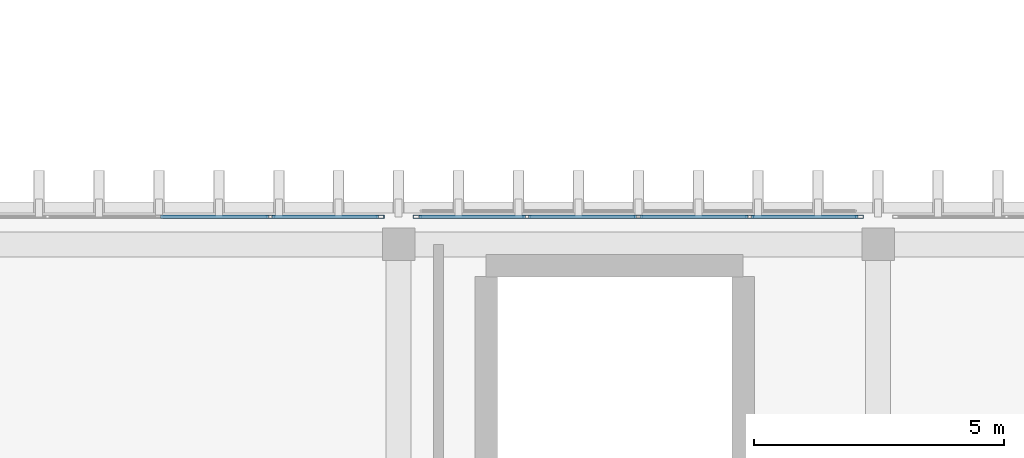
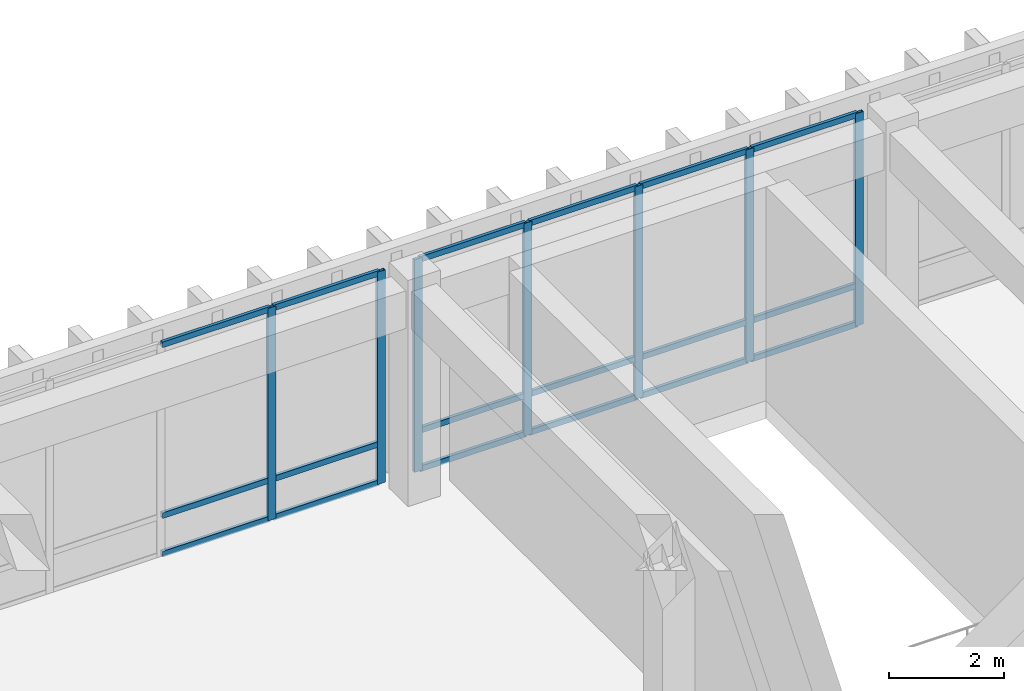
# One storey, part 30 of 101: 25 members, 2 elements without a shape of their own.
"""IFC4 building model written with IfcOpenShell, lengths in metres."""

from ifc_helpers import new_model, si_unit, direction, frame, origin, origin_2d, place, context, subcontext, project, spatial, hollow_rectangle, extrude, material, layer, layer_set, material_profile, profile_set, type_object, element, aggregate, save


model = new_model("IFC4")

# Units and contexts
model_context = context("Model", 3, precision=1e-05, world=origin(), true_north=direction((0.0, 1.0)))
body_context = subcontext(model_context, "Body", "Model", "MODEL_VIEW")
ifc_project = project(units=[si_unit("LENGTHUNIT", "METRE"), si_unit("AREAUNIT", "SQUARE_METRE"), si_unit("VOLUMEUNIT", "CUBIC_METRE"), si_unit("PLANEANGLEUNIT", "RADIAN"), si_unit("MASSUNIT", "GRAM", prefix="KILO")], contexts=[model_context])

# Site, building, storey
site_placement = place(None, origin())
site = spatial("IfcSite", under=ifc_project, at=site_placement, CompositionType="ELEMENT")
building_placement = place(site_placement, origin())
building = spatial("IfcBuilding", under=site, at=building_placement, Name="Nakhvara Creek Congress Hotel", CompositionType="ELEMENT")
storey_placement = place(building_placement, frame((0.0, 0.0, 16.199951171875)))
storey = spatial("IfcBuildingStorey", under=building, at=storey_placement, Name="L03", CompositionType="ELEMENT", Elevation=16.199951171875)

# Curtain wall, members
ifc_material_1 = material(Name="Bronze-anodised aluminium AW-6063-T6 and double-silver low-E glass", Category="aluminium")
ifc_layer = layer(ifc_material_1, 0.199951171875)
ifc_layer_set = layer_set([ifc_layer], Name="Bronze-anodised aluminium AW-6063-T6 and double-silver low-E glass")
curtain_wall_type = type_object("IfcCurtainWallType", Name="CW-POD-STICK", PredefinedType="NOTDEFINED", material=ifc_layer_set)
curtain_wall_1_placement = place(storey_placement, origin())
curtain_wall_1 = element("IfcCurtainWall", 1, at=curtain_wall_1_placement, inside=storey, type_object=curtain_wall_type, Name="Curtain Wall CW102", PredefinedType="NOTDEFINED")
ifc_material_2 = material(Name="Bronze-anodised aluminium AW-6063-T6", Category="aluminium")
ifc_material_profile_1 = material_profile(ifc_material_2, hollow_rectangle(XDim=0.06494140625, YDim=0.159912109375, WallThickness=0.00390625, at=origin_2d()), Name="ALU-MULL 65x160x4", Category="LoadBearing")
ifc_profile_set_1 = profile_set([ifc_material_profile_1], Name="Bronze-anodised aluminium AW-6063-T6")
member_type_1 = type_object("IfcMemberType", Name="CW-MULL-160", PredefinedType="MULLION", material=ifc_profile_set_1)
member_1_placement = place(storey_placement, frame((112.6298828125, 95.800048828125, 0.0), z_axis=(0.0, 0.0, 1.0), x_axis=(0.0, 1.0, 0.0)))
member_1 = element("IfcMember", 2, at=member_1_placement, type_object=member_type_1, Name="CW102 mullion 4", PredefinedType="MULLION", context=body_context, shape_type="SweptSolid", body=[
    extrude(hollow_rectangle(XDim=0.06494140625, YDim=0.159912109375, WallThickness=0.00390625, at=origin_2d()), origin(), (0.0, 0.0, 1.0), 4.510009765625),
])
member_2_placement = place(storey_placement, frame((114.827392578125, 95.800048828125, 0.0), z_axis=(0.0, 0.0, 1.0), x_axis=(0.0, 1.0, 0.0)))
member_2 = element("IfcMember", 3, at=member_2_placement, type_object=member_type_1, Name="CW102 mullion 5", PredefinedType="MULLION", context=body_context, shape_type="SweptSolid", body=[
    extrude(hollow_rectangle(XDim=0.06494140625, YDim=0.159912109375, WallThickness=0.00390625, at=origin_2d()), origin(), (0.0, 0.0, 1.0), 4.510009765625),
])

curtain_wall_2_placement = place(storey_placement, origin())
curtain_wall_2 = element("IfcCurtainWall", 4, at=curtain_wall_2_placement, inside=storey, type_object=curtain_wall_type, Name="Curtain Wall CW103", PredefinedType="NOTDEFINED")
member_3_placement = place(storey_placement, frame((115.572509765625, 95.800048828125, 0.0), z_axis=(0.0, 0.0, 1.0), x_axis=(0.0, 1.0, 0.0)))
member_3 = element("IfcMember", 5, at=member_3_placement, type_object=member_type_1, Name="CW103 mullion 1", PredefinedType="MULLION", context=body_context, shape_type="SweptSolid", body=[
    extrude(hollow_rectangle(XDim=0.06494140625, YDim=0.159912109375, WallThickness=0.00390625, at=origin_2d()), origin(), (0.0, 0.0, 1.0), 4.510009765625),
])
member_4_placement = place(storey_placement, frame((117.77001953125, 95.800048828125, 0.0), z_axis=(0.0, 0.0, 1.0), x_axis=(0.0, 1.0, 0.0)))
member_4 = element("IfcMember", 6, at=member_4_placement, type_object=member_type_1, Name="CW103 mullion 2", PredefinedType="MULLION", context=body_context, shape_type="SweptSolid", body=[
    extrude(hollow_rectangle(XDim=0.06494140625, YDim=0.159912109375, WallThickness=0.00390625, at=origin_2d()), origin(), (0.0, 0.0, 1.0), 4.510009765625),
])
member_5_placement = place(storey_placement, frame((120.0, 95.800048828125, 0.0), z_axis=(0.0, 0.0, 1.0), x_axis=(0.0, 1.0, 0.0)))
member_5 = element("IfcMember", 7, at=member_5_placement, type_object=member_type_1, Name="CW103 mullion 3", PredefinedType="MULLION", context=body_context, shape_type="SweptSolid", body=[
    extrude(hollow_rectangle(XDim=0.06494140625, YDim=0.159912109375, WallThickness=0.00390625, at=origin_2d()), origin(), (0.0, 0.0, 1.0), 4.510009765625),
])
member_6_placement = place(storey_placement, frame((122.22998046875, 95.800048828125, 0.0), z_axis=(0.0, 0.0, 1.0), x_axis=(0.0, 1.0, 0.0)))
member_6 = element("IfcMember", 8, at=member_6_placement, type_object=member_type_1, Name="CW103 mullion 4", PredefinedType="MULLION", context=body_context, shape_type="SweptSolid", body=[
    extrude(hollow_rectangle(XDim=0.06494140625, YDim=0.159912109375, WallThickness=0.00390625, at=origin_2d()), origin(), (0.0, 0.0, 1.0), 4.510009765625),
])
member_7_placement = place(storey_placement, frame((124.427490234375, 95.800048828125, 0.0), z_axis=(0.0, 0.0, 1.0), x_axis=(0.0, 1.0, 0.0)))
member_7 = element("IfcMember", 9, at=member_7_placement, type_object=member_type_1, Name="CW103 mullion 5", PredefinedType="MULLION", context=body_context, shape_type="SweptSolid", body=[
    extrude(hollow_rectangle(XDim=0.06494140625, YDim=0.159912109375, WallThickness=0.00390625, at=origin_2d()), origin(), (0.0, 0.0, 1.0), 4.510009765625),
])

# Member
ifc_material_profile_2 = material_profile(ifc_material_2, hollow_rectangle(XDim=0.06494140625, YDim=0.1201171875, WallThickness=0.00390625, at=origin_2d()), Name="ALU-TRAN 65x120x4", Category="LoadBearing")
ifc_profile_set_2 = profile_set([ifc_material_profile_2], Name="Bronze-anodised aluminium AW-6063-T6")
member_type_2 = type_object("IfcMemberType", Name="CW-TRAN-120", PredefinedType="USERDEFINED", material=ifc_profile_set_2)
member_8_placement = place(storey_placement, frame((110.4326171875, 95.800048828125, 0.032470703125), z_axis=(1.0, 0.0, 0.0), x_axis=(0.0, 1.0, 0.0)))
member_8 = element("IfcMember", 10, at=member_8_placement, type_object=member_type_2, Name="CW102 transom 3.1", ObjectType="TRANSOM", PredefinedType="USERDEFINED", context=body_context, shape_type="SweptSolid", body=[
    extrude(hollow_rectangle(XDim=0.06494140625, YDim=0.1201171875, WallThickness=0.00390625, at=origin_2d()), origin(), (0.0, 0.0, 1.0), 2.164794921875),
])

member_9_placement = place(storey_placement, frame((110.4326171875, 95.800048828125, 0.85009765625), z_axis=(1.0, 0.0, 0.0), x_axis=(0.0, 1.0, 0.0)))
member_9 = element("IfcMember", 11, at=member_9_placement, type_object=member_type_2, Name="CW102 transom 3.2", ObjectType="TRANSOM", PredefinedType="USERDEFINED", context=body_context, shape_type="SweptSolid", body=[
    extrude(hollow_rectangle(XDim=0.06494140625, YDim=0.1201171875, WallThickness=0.00390625, at=origin_2d()), origin(), (0.0, 0.0, 1.0), 2.164794921875),
])

member_10_placement = place(storey_placement, frame((110.4326171875, 95.800048828125, 4.4775390625), z_axis=(1.0, 0.0, 0.0), x_axis=(0.0, 1.0, 0.0)))
member_10 = element("IfcMember", 12, at=member_10_placement, type_object=member_type_2, Name="CW102 transom 3.3", ObjectType="TRANSOM", PredefinedType="USERDEFINED", context=body_context, shape_type="SweptSolid", body=[
    extrude(hollow_rectangle(XDim=0.06494140625, YDim=0.1201171875, WallThickness=0.00390625, at=origin_2d()), origin(), (0.0, 0.0, 1.0), 2.164794921875),
])

member_11_placement = place(storey_placement, frame((112.66259765625, 95.800048828125, 0.032470703125), z_axis=(1.0, 0.0, 0.0), x_axis=(0.0, 1.0, 0.0)))
member_11 = element("IfcMember", 13, at=member_11_placement, type_object=member_type_2, Name="CW102 transom 4.1", ObjectType="TRANSOM", PredefinedType="USERDEFINED", context=body_context, shape_type="SweptSolid", body=[
    extrude(hollow_rectangle(XDim=0.06494140625, YDim=0.1201171875, WallThickness=0.00390625, at=origin_2d()), origin(), (0.0, 0.0, 1.0), 2.13232421875),
])

member_12_placement = place(storey_placement, frame((112.66259765625, 95.800048828125, 0.85009765625), z_axis=(1.0, 0.0, 0.0), x_axis=(0.0, 1.0, 0.0)))
member_12 = element("IfcMember", 14, at=member_12_placement, type_object=member_type_2, Name="CW102 transom 4.2", ObjectType="TRANSOM", PredefinedType="USERDEFINED", context=body_context, shape_type="SweptSolid", body=[
    extrude(hollow_rectangle(XDim=0.06494140625, YDim=0.1201171875, WallThickness=0.00390625, at=origin_2d()), origin(), (0.0, 0.0, 1.0), 2.13232421875),
])

member_13_placement = place(storey_placement, frame((112.66259765625, 95.800048828125, 4.4775390625), z_axis=(1.0, 0.0, 0.0), x_axis=(0.0, 1.0, 0.0)))
member_13 = element("IfcMember", 15, at=member_13_placement, type_object=member_type_2, Name="CW102 transom 4.3", ObjectType="TRANSOM", PredefinedType="USERDEFINED", context=body_context, shape_type="SweptSolid", body=[
    extrude(hollow_rectangle(XDim=0.06494140625, YDim=0.1201171875, WallThickness=0.00390625, at=origin_2d()), origin(), (0.0, 0.0, 1.0), 2.13232421875),
])

aggregate(curtain_wall_1, [member_1, member_2, member_8, member_9, member_10, member_11, member_12, member_13])

member_14_placement = place(storey_placement, frame((115.60498046875, 95.800048828125, 0.032470703125), z_axis=(1.0, 0.0, 0.0), x_axis=(0.0, 1.0, 0.0)))
member_14 = element("IfcMember", 16, at=member_14_placement, type_object=member_type_2, Name="CW103 transom 1.1", ObjectType="TRANSOM", PredefinedType="USERDEFINED", context=body_context, shape_type="SweptSolid", body=[
    extrude(hollow_rectangle(XDim=0.06494140625, YDim=0.1201171875, WallThickness=0.00390625, at=origin_2d()), origin(), (0.0, 0.0, 1.0), 2.132568359375),
])

member_15_placement = place(storey_placement, frame((115.60498046875, 95.800048828125, 0.85009765625), z_axis=(1.0, 0.0, 0.0), x_axis=(0.0, 1.0, 0.0)))
member_15 = element("IfcMember", 17, at=member_15_placement, type_object=member_type_2, Name="CW103 transom 1.2", ObjectType="TRANSOM", PredefinedType="USERDEFINED", context=body_context, shape_type="SweptSolid", body=[
    extrude(hollow_rectangle(XDim=0.06494140625, YDim=0.1201171875, WallThickness=0.00390625, at=origin_2d()), origin(), (0.0, 0.0, 1.0), 2.132568359375),
])

member_16_placement = place(storey_placement, frame((115.60498046875, 95.800048828125, 4.4775390625), z_axis=(1.0, 0.0, 0.0), x_axis=(0.0, 1.0, 0.0)))
member_16 = element("IfcMember", 18, at=member_16_placement, type_object=member_type_2, Name="CW103 transom 1.3", ObjectType="TRANSOM", PredefinedType="USERDEFINED", context=body_context, shape_type="SweptSolid", body=[
    extrude(hollow_rectangle(XDim=0.06494140625, YDim=0.1201171875, WallThickness=0.00390625, at=origin_2d()), origin(), (0.0, 0.0, 1.0), 2.132568359375),
])

member_17_placement = place(storey_placement, frame((117.802490234375, 95.800048828125, 0.032470703125), z_axis=(1.0, 0.0, 0.0), x_axis=(0.0, 1.0, 0.0)))
member_17 = element("IfcMember", 19, at=member_17_placement, type_object=member_type_2, Name="CW103 transom 2.1", ObjectType="TRANSOM", PredefinedType="USERDEFINED", context=body_context, shape_type="SweptSolid", body=[
    extrude(hollow_rectangle(XDim=0.06494140625, YDim=0.1201171875, WallThickness=0.00390625, at=origin_2d()), origin(), (0.0, 0.0, 1.0), 2.1650390625),
])

member_18_placement = place(storey_placement, frame((117.802490234375, 95.800048828125, 0.85009765625), z_axis=(1.0, 0.0, 0.0), x_axis=(0.0, 1.0, 0.0)))
member_18 = element("IfcMember", 20, at=member_18_placement, type_object=member_type_2, Name="CW103 transom 2.2", ObjectType="TRANSOM", PredefinedType="USERDEFINED", context=body_context, shape_type="SweptSolid", body=[
    extrude(hollow_rectangle(XDim=0.06494140625, YDim=0.1201171875, WallThickness=0.00390625, at=origin_2d()), origin(), (0.0, 0.0, 1.0), 2.1650390625),
])

member_19_placement = place(storey_placement, frame((117.802490234375, 95.800048828125, 4.4775390625), z_axis=(1.0, 0.0, 0.0), x_axis=(0.0, 1.0, 0.0)))
member_19 = element("IfcMember", 21, at=member_19_placement, type_object=member_type_2, Name="CW103 transom 2.3", ObjectType="TRANSOM", PredefinedType="USERDEFINED", context=body_context, shape_type="SweptSolid", body=[
    extrude(hollow_rectangle(XDim=0.06494140625, YDim=0.1201171875, WallThickness=0.00390625, at=origin_2d()), origin(), (0.0, 0.0, 1.0), 2.1650390625),
])

member_20_placement = place(storey_placement, frame((120.032470703125, 95.800048828125, 0.032470703125), z_axis=(1.0, 0.0, 0.0), x_axis=(0.0, 1.0, 0.0)))
member_20 = element("IfcMember", 22, at=member_20_placement, type_object=member_type_2, Name="CW103 transom 3.1", ObjectType="TRANSOM", PredefinedType="USERDEFINED", context=body_context, shape_type="SweptSolid", body=[
    extrude(hollow_rectangle(XDim=0.06494140625, YDim=0.1201171875, WallThickness=0.00390625, at=origin_2d()), origin(), (0.0, 0.0, 1.0), 2.1650390625),
])

member_21_placement = place(storey_placement, frame((120.032470703125, 95.800048828125, 0.85009765625), z_axis=(1.0, 0.0, 0.0), x_axis=(0.0, 1.0, 0.0)))
member_21 = element("IfcMember", 23, at=member_21_placement, type_object=member_type_2, Name="CW103 transom 3.2", ObjectType="TRANSOM", PredefinedType="USERDEFINED", context=body_context, shape_type="SweptSolid", body=[
    extrude(hollow_rectangle(XDim=0.06494140625, YDim=0.1201171875, WallThickness=0.00390625, at=origin_2d()), origin(), (0.0, 0.0, 1.0), 2.1650390625),
])

member_22_placement = place(storey_placement, frame((120.032470703125, 95.800048828125, 4.4775390625), z_axis=(1.0, 0.0, 0.0), x_axis=(0.0, 1.0, 0.0)))
member_22 = element("IfcMember", 24, at=member_22_placement, type_object=member_type_2, Name="CW103 transom 3.3", ObjectType="TRANSOM", PredefinedType="USERDEFINED", context=body_context, shape_type="SweptSolid", body=[
    extrude(hollow_rectangle(XDim=0.06494140625, YDim=0.1201171875, WallThickness=0.00390625, at=origin_2d()), origin(), (0.0, 0.0, 1.0), 2.1650390625),
])

member_23_placement = place(storey_placement, frame((122.262451171875, 95.800048828125, 0.032470703125), z_axis=(1.0, 0.0, 0.0), x_axis=(0.0, 1.0, 0.0)))
member_23 = element("IfcMember", 25, at=member_23_placement, type_object=member_type_2, Name="CW103 transom 4.1", ObjectType="TRANSOM", PredefinedType="USERDEFINED", context=body_context, shape_type="SweptSolid", body=[
    extrude(hollow_rectangle(XDim=0.06494140625, YDim=0.1201171875, WallThickness=0.00390625, at=origin_2d()), origin(), (0.0, 0.0, 1.0), 2.132568359375),
])

member_24_placement = place(storey_placement, frame((122.262451171875, 95.800048828125, 0.85009765625), z_axis=(1.0, 0.0, 0.0), x_axis=(0.0, 1.0, 0.0)))
member_24 = element("IfcMember", 26, at=member_24_placement, type_object=member_type_2, Name="CW103 transom 4.2", ObjectType="TRANSOM", PredefinedType="USERDEFINED", context=body_context, shape_type="SweptSolid", body=[
    extrude(hollow_rectangle(XDim=0.06494140625, YDim=0.1201171875, WallThickness=0.00390625, at=origin_2d()), origin(), (0.0, 0.0, 1.0), 2.132568359375),
])

member_25_placement = place(storey_placement, frame((122.262451171875, 95.800048828125, 4.4775390625), z_axis=(1.0, 0.0, 0.0), x_axis=(0.0, 1.0, 0.0)))
member_25 = element("IfcMember", 27, at=member_25_placement, type_object=member_type_2, Name="CW103 transom 4.3", ObjectType="TRANSOM", PredefinedType="USERDEFINED", context=body_context, shape_type="SweptSolid", body=[
    extrude(hollow_rectangle(XDim=0.06494140625, YDim=0.1201171875, WallThickness=0.00390625, at=origin_2d()), origin(), (0.0, 0.0, 1.0), 2.132568359375),
])

aggregate(curtain_wall_2, [member_3, member_4, member_5, member_6, member_7, member_14, member_15, member_16, member_17, member_18, member_19, member_20, member_21, member_22, member_23, member_24, member_25])

save(model, "model.ifc")
